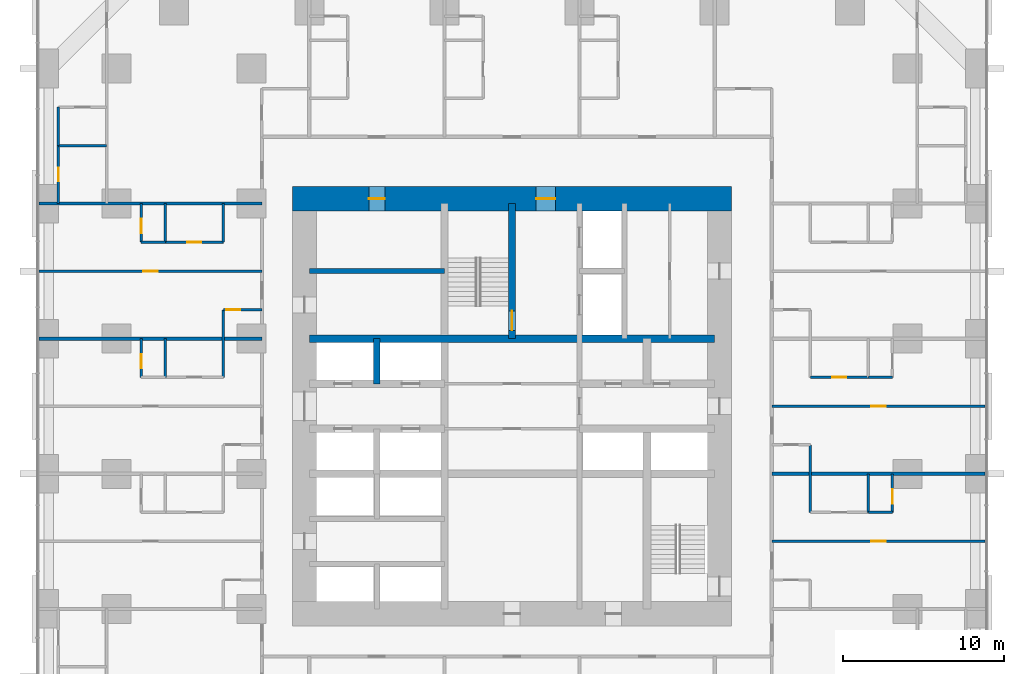
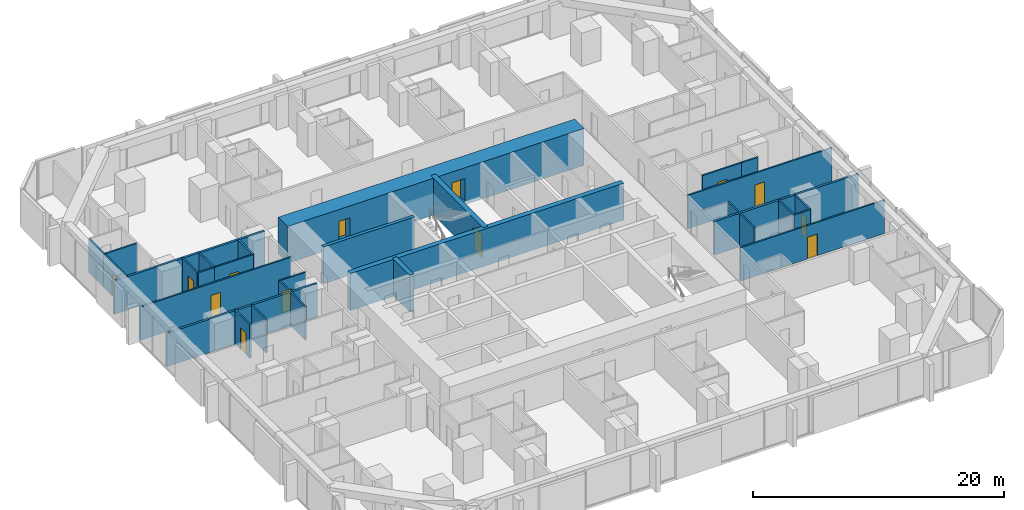
# One storey, part 14 of 17: 29 walls, 13 doors, 13 openings.
"""IFC4 building model written with IfcOpenShell, lengths in metres."""

from ifc_helpers import new_model, si_unit, direction, frame, frame_2d, origin, place, context, subcontext, project, spatial, rectangle, extrude, material, layer, layer_set, type_object, element, fill, save


model = new_model("IFC4")

# Units and contexts
model_context = context("Model", 3, precision=1e-05, world=origin(), true_north=direction((0.0, 1.0)))
body_context = subcontext(model_context, "Body", "Model", "MODEL_VIEW")
ifc_project = project(units=[si_unit("LENGTHUNIT", "METRE"), si_unit("AREAUNIT", "SQUARE_METRE"), si_unit("VOLUMEUNIT", "CUBIC_METRE"), si_unit("PLANEANGLEUNIT", "RADIAN"), si_unit("MASSUNIT", "GRAM", prefix="KILO")], contexts=[model_context])

# Site, building, storey
site_placement = place(None, origin())
site = spatial("IfcSite", under=ifc_project, at=site_placement, CompositionType="ELEMENT")
building_placement = place(site_placement, origin())
building = spatial("IfcBuilding", under=site, at=building_placement, Name="Dunama Terrace Hotel", CompositionType="ELEMENT")
storey_placement = place(building_placement, frame((0.0, 0.0, 59.39990234375)))
storey = spatial("IfcBuildingStorey", under=building, at=storey_placement, Name="L14", CompositionType="ELEMENT", Elevation=59.39990234375)

# Wall, opening, door
ifc_material_1 = material(Name="Gypsum board partition", Category="masonry")
ifc_layer_1 = layer(ifc_material_1, 0.14990234375)
ifc_layer_set_1 = layer_set([ifc_layer_1], Name="Bathroom partition 150")
wall_type_1 = type_object("IfcWallType", Name="Bathroom partition 150", PredefinedType="PARTITIONING", material=ifc_layer_set_1)
wall_1_placement = place(storey_placement, frame((1.199951171875, 42.0, 0.0), z_axis=(0.0, 0.0, 1.0), x_axis=(0.0, 1.0, 0.0)))
wall_1 = element("IfcWall", 1, at=wall_1_placement, inside=storey, type_object=wall_type_1, Name="Bathroom partition 150 L14", PredefinedType="PARTITIONING", context=body_context, shape_type="SweptSolid", body=[
    extrude(rectangle(XDim=3.60009765625, YDim=0.14990234375, at=frame_2d((1.800048828125, 0.0))), origin(), (0.0, 0.0, 1.0), 3.25),
])
opening_1_placement = place(wall_1_placement, frame((1.375, 0.0, 0.0)))
opening_1 = element("IfcOpeningElement", 2, at=opening_1_placement, cuts=wall_1, Name="Opening L13-14-075", PredefinedType="OPENING", context=body_context, shape_type="SweptSolid", body=[
    extrude(rectangle(XDim=0.85009765625, YDim=2.10009765625, at=frame_2d((0.425048828125, 1.050048828125))), frame((0.0, 0.0849609375, 0.0), z_axis=(0.0, -1.0, 0.0), x_axis=(1.0, 0.0, 0.0)), (0.0, 0.0, 1.0), 0.169921875),
])
ifc_material_2 = material(Name="Timber door with steel frame", Category="steel")
door_type_1 = type_object("IfcDoorType", Name="Bathroom door 850", OperationType="SINGLE_SWING_LEFT", PredefinedType="DOOR", material=ifc_material_2)
door_1_placement = place(opening_1_placement, frame((0.85009765625, 0.0, 0.0), z_axis=(0.0, 0.0, 1.0), x_axis=(-1.0, 0.0, 0.0)))
door_1 = element("IfcDoor", 3, at=door_1_placement, inside=storey, type_object=door_type_1, Name="Door to en-suite bathroom L13-14-075, type D2", OperationType="SINGLE_SWING_RIGHT", OverallHeight=2.10009765625, OverallWidth=0.85009765625, PredefinedType="DOOR", context=body_context, shape_type="SweptSolid", body=[
    extrude(rectangle(XDim=0.85009765625, YDim=2.10009765625, at=frame_2d((0.425048828125, 1.050048828125))), frame((0.0, 0.025146484375, 0.0), z_axis=(0.0, -1.0, 0.0), x_axis=(1.0, 0.0, 0.0)), (0.0, 0.0, 1.0), 0.050048828125),
])
fill(opening_1, door_1)

# Walls
wall_2_placement = place(storey_placement, frame((11.449951171875, 31.199951171875, 0.0), z_axis=(0.0, 0.0, 1.0), x_axis=(0.0, 1.0, 0.0)))
element("IfcWall", 4, at=wall_2_placement, inside=storey, type_object=wall_type_1, Name="Bathroom partition 150 L14", PredefinedType="PARTITIONING", context=body_context, shape_type="SweptSolid", body=[
    extrude(rectangle(XDim=4.199951171875, YDim=0.14990234375, at=frame_2d((2.10009765625, 0.0))), origin(), (0.0, 0.0, 1.0), 3.25),
])
wall_3_placement = place(storey_placement, frame((11.449951171875, 39.60009765625, 0.0), z_axis=(0.0, 0.0, 1.0), x_axis=(0.0, 1.0, 0.0)))
element("IfcWall", 5, at=wall_3_placement, inside=storey, type_object=wall_type_1, Name="Bathroom partition 150 L14", PredefinedType="PARTITIONING", context=body_context, shape_type="SweptSolid", body=[
    extrude(rectangle(XDim=2.39990234375, YDim=0.14990234375, at=frame_2d((1.199951171875, 0.0))), origin(), (0.0, 0.0, 1.0), 3.25),
])
wall_4_placement = place(storey_placement, frame((47.949951171875, 22.800048828125, 0.0), z_axis=(0.0, 0.0, 1.0), x_axis=(0.0, 1.0, 0.0)))
element("IfcWall", 6, at=wall_4_placement, inside=storey, type_object=wall_type_1, Name="Bathroom partition 150 L14", PredefinedType="PARTITIONING", context=body_context, shape_type="SweptSolid", body=[
    extrude(rectangle(XDim=4.199951171875, YDim=0.14990234375, at=frame_2d((2.10009765625, 0.0))), origin(), (0.0, 0.0, 1.0), 3.25),
])

# Wall, opening, door
wall_5_placement = place(storey_placement, frame((47.949951171875, 31.199951171875, 0.0), z_axis=(0.0, 0.0, 1.0), x_axis=(1.0, 0.0, 0.0)))
wall_5 = element("IfcWall", 7, at=wall_5_placement, inside=storey, type_object=wall_type_1, Name="Bathroom partition 150 L14", PredefinedType="PARTITIONING", context=body_context, shape_type="SweptSolid", body=[
    extrude(rectangle(XDim=3.60009765625, YDim=0.14990234375, at=frame_2d((1.800048828125, 0.0))), origin(), (0.0, 0.0, 1.0), 3.25),
])
opening_2_placement = place(wall_5_placement, frame((1.375, 0.0, 0.0)))
opening_2 = element("IfcOpeningElement", 8, at=opening_2_placement, cuts=wall_5, Name="Opening L13-14-026", PredefinedType="OPENING", context=body_context, shape_type="SweptSolid", body=[
    extrude(rectangle(XDim=0.85009765625, YDim=2.10009765625, at=frame_2d((0.425048828125, 1.050048828125))), frame((0.0, 0.0849609375, 0.0), z_axis=(0.0, -1.0, 0.0), x_axis=(1.0, 0.0, 0.0)), (0.0, 0.0, 1.0), 0.169921875),
])
door_2_placement = place(opening_2_placement, origin())
door_2 = element("IfcDoor", 9, at=door_2_placement, inside=storey, type_object=door_type_1, Name="Door to en-suite bathroom L13-14-026, type D2", OperationType="SINGLE_SWING_RIGHT", OverallHeight=2.10009765625, OverallWidth=0.85009765625, PredefinedType="DOOR", context=body_context, shape_type="SweptSolid", body=[
    extrude(rectangle(XDim=0.85009765625, YDim=2.10009765625, at=frame_2d((0.425048828125, 1.050048828125))), frame((0.0, 0.02490234375, 0.0), z_axis=(0.0, -1.0, 0.0), x_axis=(1.0, 0.0, 0.0)), (0.0, 0.0, 1.0), 0.050048828125),
])
fill(opening_2, door_2)

wall_6_placement = place(storey_placement, frame((11.449951171875, 35.39990234375, 0.0), z_axis=(0.0, 0.0, 1.0), x_axis=(1.0, 0.0, 0.0)))
wall_6 = element("IfcWall", 10, at=wall_6_placement, inside=storey, type_object=wall_type_1, Name="Bathroom partition 150 L14", PredefinedType="PARTITIONING", context=body_context, shape_type="SweptSolid", body=[
    extrude(rectangle(XDim=2.400146484375, YDim=0.14990234375, at=frame_2d((1.2001953125, 0.0))), origin(), (0.0, 0.0, 1.0), 3.25),
])
opening_3_placement = place(wall_6_placement, frame((0.199951171875, 0.0, 0.0)))
opening_3 = element("IfcOpeningElement", 11, at=opening_3_placement, cuts=wall_6, Name="Opening L13-14-053", PredefinedType="OPENING", context=body_context, shape_type="SweptSolid", body=[
    extrude(rectangle(XDim=0.85009765625, YDim=2.10009765625, at=frame_2d((0.425048828125, 1.050048828125))), frame((0.0, 0.0849609375, 0.0), z_axis=(0.0, -1.0, 0.0), x_axis=(1.0, 0.0, 0.0)), (0.0, 0.0, 1.0), 0.169921875),
])
door_3_placement = place(opening_3_placement, frame((0.85009765625, 0.0, 0.0), z_axis=(0.0, 0.0, 1.0), x_axis=(-1.0, 0.0, 0.0)))
door_3 = element("IfcDoor", 12, at=door_3_placement, inside=storey, type_object=door_type_1, Name="Door to powder room L13-14-053, type D2", OperationType="SINGLE_SWING_LEFT", OverallHeight=2.10009765625, OverallWidth=0.85009765625, PredefinedType="DOOR", context=body_context, shape_type="SweptSolid", body=[
    extrude(rectangle(XDim=0.85009765625, YDim=2.10009765625, at=frame_2d((0.425048828125, 1.050048828125))), frame((0.0, 0.025146484375, 0.0), z_axis=(0.0, -1.0, 0.0), x_axis=(1.0, 0.0, 0.0)), (0.0, 0.0, 1.0), 0.050048828125),
])
fill(opening_3, door_3)

wall_7_placement = place(storey_placement, frame((7.85009765625, 39.60009765625, 0.0), z_axis=(0.0, 0.0, 1.0), x_axis=(1.0, 0.0, 0.0)))
wall_7 = element("IfcWall", 13, at=wall_7_placement, inside=storey, type_object=wall_type_1, Name="Bathroom partition 150 L14", PredefinedType="PARTITIONING", context=body_context, shape_type="SweptSolid", body=[
    extrude(rectangle(XDim=3.599853515625, YDim=0.14990234375, at=frame_2d((1.7998046875, 0.0))), origin(), (0.0, 0.0, 1.0), 3.25),
])
opening_4_placement = place(wall_7_placement, frame((1.375, 0.0, 0.0)))
opening_4 = element("IfcOpeningElement", 14, at=opening_4_placement, cuts=wall_7, Name="Opening L13-14-055", PredefinedType="OPENING", context=body_context, shape_type="SweptSolid", body=[
    extrude(rectangle(XDim=0.85009765625, YDim=2.10009765625, at=frame_2d((0.425048828125, 1.050048828125))), frame((0.0, 0.0849609375, 0.0), z_axis=(0.0, -1.0, 0.0), x_axis=(1.0, 0.0, 0.0)), (0.0, 0.0, 1.0), 0.169921875),
])
door_4_placement = place(opening_4_placement, origin())
door_4 = element("IfcDoor", 15, at=door_4_placement, inside=storey, type_object=door_type_1, Name="Door to en-suite bathroom L13-14-055, type D2", OperationType="SINGLE_SWING_LEFT", OverallHeight=2.10009765625, OverallWidth=0.85009765625, PredefinedType="DOOR", context=body_context, shape_type="SweptSolid", body=[
    extrude(rectangle(XDim=0.85009765625, YDim=2.10009765625, at=frame_2d((0.425048828125, 1.050048828125))), frame((0.0, 0.02490234375, 0.0), z_axis=(0.0, -1.0, 0.0), x_axis=(1.0, 0.0, 0.0)), (0.0, 0.0, 1.0), 0.050048828125),
])
fill(opening_4, door_4)

# Walls
ifc_material_3 = material(Name="Concrete C50/60", Category="concrete")
ifc_layer_2 = layer(ifc_material_3, 0.300048828125)
ifc_layer_set_2 = layer_set([ifc_layer_2], Name="Core inner wall 300")
wall_type_2 = type_object("IfcWallType", Name="Core inner wall 300", PredefinedType="SHEAR", material=ifc_layer_set_2)
wall_8_placement = place(storey_placement, frame((16.800048828125, 37.800048828125, -0.349853515625), z_axis=(0.0, 0.0, 1.0), x_axis=(1.0, 0.0, 0.0)))
element("IfcWall", 16, at=wall_8_placement, inside=storey, type_object=wall_type_2, Name="Core inner wall 300 L14", PredefinedType="SHEAR", context=body_context, shape_type="SweptSolid", body=[
    extrude(rectangle(XDim=8.39990234375, YDim=0.300048828125, at=frame_2d((4.199951171875, 0.0))), origin(), (0.0, 0.0, 1.0), 3.599853515625),
])
ifc_material_4 = material(Name="Concrete C50/60", Category="concrete")
ifc_layer_3 = layer(ifc_material_4, 0.39990234375)
ifc_layer_set_3 = layer_set([ifc_layer_3], Name="Core inner wall 400")
wall_type_3 = type_object("IfcWallType", Name="Core inner wall 400", PredefinedType="SHEAR", material=ifc_layer_set_3)
wall_9_placement = place(storey_placement, frame((21.0, 30.800048828125, -0.349853515625), z_axis=(0.0, 0.0, 1.0), x_axis=(0.0, 1.0, 0.0)))
element("IfcWall", 17, at=wall_9_placement, inside=storey, type_object=wall_type_3, Name="Core inner wall 400 L14", PredefinedType="SHEAR", context=body_context, shape_type="SweptSolid", body=[
    extrude(rectangle(XDim=2.800048828125, YDim=0.39990234375, at=frame_2d((1.39990234375, 0.0))), origin(), (0.0, 0.0, 1.0), 3.599853515625),
])

# Wall, opening, door
ifc_material_5 = material(Name="Concrete C50/60", Category="concrete")
ifc_layer_4 = layer(ifc_material_5, 0.449951171875)
ifc_layer_set_4 = layer_set([ifc_layer_4], Name="Core inner wall 450")
wall_type_4 = type_object("IfcWallType", Name="Core inner wall 450", PredefinedType="SHEAR", material=ifc_layer_set_4)
wall_10_placement = place(storey_placement, frame((29.39990234375, 33.60009765625, -0.349853515625), z_axis=(0.0, 0.0, 1.0), x_axis=(0.0, 1.0, 0.0)))
wall_10 = element("IfcWall", 18, at=wall_10_placement, inside=storey, type_object=wall_type_4, Name="Core inner wall 450 L14", PredefinedType="SHEAR", context=body_context, shape_type="SweptSolid", body=[
    extrude(rectangle(XDim=8.39990234375, YDim=0.449951171875, at=frame_2d((4.199951171875, 0.0))), origin(), (0.0, 0.0, 1.0), 3.599853515625),
])
opening_5_placement = place(wall_10_placement, frame((0.52490234375, 0.0, 0.35009765625)))
opening_5 = element("IfcOpeningElement", 19, at=opening_5_placement, cuts=wall_10, Name="Opening L13-14-001", PredefinedType="OPENING", context=body_context, shape_type="SweptSolid", body=[
    extrude(rectangle(XDim=1.199951171875, YDim=2.199951171875, at=frame_2d((0.60009765625, 1.10009765625))), frame((0.0, 0.23486328125, 0.0), z_axis=(0.0, -1.0, 0.0), x_axis=(1.0, 0.0, 0.0)), (0.0, 0.0, 1.0), 0.469970703125),
])
ifc_material_6 = material(Name="Timber door with steel frame", Category="steel")
door_type_2 = type_object("IfcDoorType", Name="Stair door 1200", OperationType="SINGLE_SWING_LEFT", PredefinedType="DOOR", material=ifc_material_6)
door_5_placement = place(opening_5_placement, origin())
door_5 = element("IfcDoor", 20, at=door_5_placement, inside=storey, type_object=door_type_2, Name="Stair door ST1 L13-14-001, type D5", OperationType="SINGLE_SWING_LEFT", OverallHeight=2.199951171875, OverallWidth=1.199951171875, PredefinedType="DOOR", context=body_context, shape_type="SweptSolid", body=[
    extrude(rectangle(XDim=1.199951171875, YDim=2.199951171875, at=frame_2d((0.60009765625, 1.10009765625))), frame((0.0, 0.02490234375, 0.0), z_axis=(0.0, -1.0, 0.0), x_axis=(1.0, 0.0, 0.0)), (0.0, 0.0, 1.0), 0.050048828125),
])
fill(opening_5, door_5)

# Wall
wall_11_placement = place(storey_placement, frame((16.800048828125, 33.60009765625, -0.349853515625), z_axis=(0.0, 0.0, 1.0), x_axis=(1.0, 0.0, 0.0)))
element("IfcWall", 21, at=wall_11_placement, inside=storey, type_object=wall_type_4, Name="Core inner wall 450 L14", PredefinedType="SHEAR", context=body_context, shape_type="SweptSolid", body=[
    extrude(rectangle(XDim=25.199951171875, YDim=0.449951171875, at=frame_2d((12.60009765625, 0.0))), origin(), (0.0, 0.0, 1.0), 3.599853515625),
])

# Wall, openings, doors
ifc_material_7 = material(Name="Concrete C60/75", Category="concrete")
ifc_layer_5 = layer(ifc_material_7, 1.5)
ifc_layer_set_5 = layer_set([ifc_layer_5], Name="Core wall 1500")
wall_type_5 = type_object("IfcWallType", Name="Core wall 1500", PredefinedType="SHEAR", material=ifc_layer_set_5)
wall_12_placement = place(storey_placement, frame((43.050048828125, 42.300048828125, -0.349853515625), z_axis=(0.0, 0.0, 1.0), x_axis=(-1.0, 0.0, 0.0)))
wall_12 = element("IfcWall", 22, at=wall_12_placement, inside=storey, type_object=wall_type_5, Name="Core wall north L14", PredefinedType="SHEAR", context=body_context, shape_type="SweptSolid", body=[
    extrude(rectangle(XDim=27.300048828125, YDim=1.5, at=frame_2d((13.64990234375, 0.0))), origin(), (0.0, 0.0, 1.0), 3.599853515625),
])
opening_6_placement = place(wall_12_placement, frame((21.550048828125, 0.0, 0.35009765625)))
opening_6 = element("IfcOpeningElement", 23, at=opening_6_placement, cuts=wall_12, Name="Opening L13-14-080", PredefinedType="OPENING", context=body_context, shape_type="SweptSolid", body=[
    extrude(rectangle(XDim=1.0, YDim=2.10009765625, at=frame_2d((0.5, 1.050048828125))), frame((0.0, 0.760009765625, 0.0), z_axis=(0.0, -1.0, 0.0), x_axis=(1.0, 0.0, 0.0)), (0.0, 0.0, 1.0), 1.52001953125),
])
opening_7_placement = place(wall_12_placement, frame((10.949951171875, 0.0, 0.35009765625)))
opening_7 = element("IfcOpeningElement", 24, at=opening_7_placement, cuts=wall_12, Name="Opening L13-14-087", PredefinedType="OPENING", context=body_context, shape_type="SweptSolid", body=[
    extrude(rectangle(XDim=1.199951171875, YDim=2.199951171875, at=frame_2d((0.60009765625, 1.10009765625))), frame((0.0, 0.760009765625, 0.0), z_axis=(0.0, -1.0, 0.0), x_axis=(1.0, 0.0, 0.0)), (0.0, 0.0, 1.0), 1.52001953125),
])
ifc_material_8 = material(Name="Timber door with steel frame", Category="steel")
door_type_3 = type_object("IfcDoorType", Name="Firefighting lobby door 1200", OperationType="SINGLE_SWING_LEFT", PredefinedType="DOOR", material=ifc_material_8)
door_6_placement = place(opening_7_placement, origin())
door_6 = element("IfcDoor", 25, at=door_6_placement, inside=storey, type_object=door_type_3, Name="Door to firefighting lobby L13-14-087, type D4", OperationType="SINGLE_SWING_RIGHT", OverallHeight=2.199951171875, OverallWidth=1.199951171875, PredefinedType="DOOR", context=body_context, shape_type="SweptSolid", body=[
    extrude(rectangle(XDim=1.199951171875, YDim=2.199951171875, at=frame_2d((0.60009765625, 1.10009765625))), frame((0.0, 0.02490234375, 0.0), z_axis=(0.0, -1.0, 0.0), x_axis=(1.0, 0.0, 0.0)), (0.0, 0.0, 1.0), 0.050048828125),
])
fill(opening_7, door_6)
ifc_material_9 = material(Name="Timber door with steel frame", Category="steel")
door_type_4 = type_object("IfcDoorType", Name="Service door 1000", OperationType="SINGLE_SWING_LEFT", PredefinedType="DOOR", material=ifc_material_9)
door_7_placement = place(opening_6_placement, origin())
door_7 = element("IfcDoor", 26, at=door_7_placement, inside=storey, type_object=door_type_4, Name="Door to communications and riser room L13-14-080, type D7", OperationType="SINGLE_SWING_RIGHT", OverallHeight=2.10009765625, OverallWidth=1.0, PredefinedType="DOOR", context=body_context, shape_type="SweptSolid", body=[
    extrude(rectangle(XDim=1.0, YDim=2.10009765625, at=frame_2d((0.5, 1.050048828125))), frame((0.0, 0.02490234375, 0.0), z_axis=(0.0, -1.0, 0.0), x_axis=(1.0, 0.0, 0.0)), (0.0, 0.0, 1.0), 0.050048828125),
])
fill(opening_6, door_7)

# Walls
ifc_material_10 = material(Name="Concrete blockwork", Category="masonry")
ifc_layer_6 = layer(ifc_material_10, 0.199951171875)
ifc_layer_set_6 = layer_set([ifc_layer_6], Name="Party wall 200")
wall_type_6 = type_object("IfcWallType", Name="Party wall 200", PredefinedType="PARTITIONING", material=ifc_layer_set_6)
wall_13_placement = place(storey_placement, frame((45.550048828125, 25.199951171875, 0.0), z_axis=(0.0, 0.0, 1.0), x_axis=(1.0, 0.0, 0.0)))
element("IfcWall", 27, at=wall_13_placement, inside=storey, type_object=wall_type_6, Name="Party wall 200 L14", PredefinedType="PARTITIONING", context=body_context, shape_type="SweptSolid", body=[
    extrude(rectangle(XDim=13.258056640625, YDim=0.199951171875, at=frame_2d((6.62890625, 0.0))), origin(), (0.0, 0.0, 1.0), 3.25),
])
for number, where, z_axis, x_axis, name in (
    (28, (-0.008056640625, 33.60009765625, 0.0), (0.0, 0.0, 1.0), (1.0, 0.0, 0.0), "Party wall 200 L14"),
    (29, (-0.008056640625, 42.0, 0.0), (0.0, 0.0, 1.0), (1.0, 0.0, 0.0), "Party wall 200 L14"),
):
    element("IfcWall", number, at=place(storey_placement, frame(where, z_axis=z_axis, x_axis=x_axis)), inside=storey, type_object=wall_type_6, Name=name, PredefinedType="PARTITIONING", context=body_context, shape_type="SweptSolid", body=[
        extrude(rectangle(XDim=13.858154296875, YDim=0.199951171875, at=frame_2d((6.92919921875, 0.0))), origin(), (0.0, 0.0, 1.0), 3.25),
    ])
ifc_material_11 = material(Name="Gypsum board partition", Category="masonry")
ifc_layer_7 = layer(ifc_material_11, 0.14990234375)
ifc_layer_set_7 = layer_set([ifc_layer_7], Name="Room partition 150")
wall_type_7 = type_object("IfcWallType", Name="Room partition 150", PredefinedType="PARTITIONING", material=ifc_layer_set_7)
wall_14_placement = place(storey_placement, frame((1.199951171875, 45.60009765625, 0.0), z_axis=(0.0, 0.0, 1.0), x_axis=(0.0, 1.0, 0.0)))
element("IfcWall", 30, at=wall_14_placement, inside=storey, type_object=wall_type_7, Name="Room partition 150 L14", PredefinedType="PARTITIONING", context=body_context, shape_type="SweptSolid", body=[
    extrude(rectangle(XDim=2.39990234375, YDim=0.14990234375, at=frame_2d((1.199951171875, 0.0))), origin(), (0.0, 0.0, 1.0), 3.25),
])

# Wall, opening, door
wall_15_placement = place(storey_placement, frame((6.35009765625, 31.199951171875, 0.0), z_axis=(0.0, 0.0, 1.0), x_axis=(0.0, 1.0, 0.0)))
wall_15 = element("IfcWall", 31, at=wall_15_placement, inside=storey, type_object=wall_type_7, Name="Room partition 150 L14", PredefinedType="PARTITIONING", context=body_context, shape_type="SweptSolid", body=[
    extrude(rectangle(XDim=2.400146484375, YDim=0.14990234375, at=frame_2d((1.2001953125, 0.0))), origin(), (0.0, 0.0, 1.0), 3.25),
])
opening_8_placement = place(wall_15_placement, frame((0.550048828125, 0.0, 0.0)))
opening_8 = element("IfcOpeningElement", 32, at=opening_8_placement, cuts=wall_15, Name="Opening L13-14-051", PredefinedType="OPENING", context=body_context, shape_type="SweptSolid", body=[
    extrude(rectangle(XDim=0.89990234375, YDim=2.10009765625, at=frame_2d((0.449951171875, 1.050048828125))), frame((0.0, 0.0849609375, 0.0), z_axis=(0.0, -1.0, 0.0), x_axis=(1.0, 0.0, 0.0)), (0.0, 0.0, 1.0), 0.169921875),
])
ifc_material_12 = material(Name="Timber door with steel frame", Category="steel")
door_type_5 = type_object("IfcDoorType", Name="Suite internal door 900", OperationType="SINGLE_SWING_LEFT", PredefinedType="DOOR", material=ifc_material_12)
door_8_placement = place(opening_8_placement, frame((0.89990234375, 0.0, 0.0), z_axis=(0.0, 0.0, 1.0), x_axis=(-1.0, 0.0, 0.0)))
door_8 = element("IfcDoor", 33, at=door_8_placement, inside=storey, type_object=door_type_5, Name="Door to walk-in wardrobe L13-14-051, type D16", OperationType="SINGLE_SWING_RIGHT", OverallHeight=2.10009765625, OverallWidth=0.89990234375, PredefinedType="DOOR", context=body_context, shape_type="SweptSolid", body=[
    extrude(rectangle(XDim=0.89990234375, YDim=2.10009765625, at=frame_2d((0.449951171875, 1.050048828125))), frame((0.0, 0.025146484375, 0.0), z_axis=(0.0, -1.0, 0.0), x_axis=(1.0, 0.0, 0.0)), (0.0, 0.0, 1.0), 0.050048828125),
])
fill(opening_8, door_8)

wall_16_placement = place(storey_placement, frame((6.35009765625, 39.60009765625, 0.0), z_axis=(0.0, 0.0, 1.0), x_axis=(0.0, 1.0, 0.0)))
wall_16 = element("IfcWall", 34, at=wall_16_placement, inside=storey, type_object=wall_type_7, Name="Room partition 150 L14", PredefinedType="PARTITIONING", context=body_context, shape_type="SweptSolid", body=[
    extrude(rectangle(XDim=2.39990234375, YDim=0.14990234375, at=frame_2d((1.199951171875, 0.0))), origin(), (0.0, 0.0, 1.0), 3.25),
])
opening_9_placement = place(wall_16_placement, frame((0.550048828125, 0.0, 0.0)))
opening_9 = element("IfcOpeningElement", 35, at=opening_9_placement, cuts=wall_16, Name="Opening L13-14-056", PredefinedType="OPENING", context=body_context, shape_type="SweptSolid", body=[
    extrude(rectangle(XDim=0.89990234375, YDim=2.10009765625, at=frame_2d((0.449951171875, 1.050048828125))), frame((0.0, 0.0849609375, 0.0), z_axis=(0.0, -1.0, 0.0), x_axis=(1.0, 0.0, 0.0)), (0.0, 0.0, 1.0), 0.169921875),
])
door_9_placement = place(opening_9_placement, frame((0.89990234375, 0.0, 0.0), z_axis=(0.0, 0.0, 1.0), x_axis=(-1.0, 0.0, 0.0)))
door_9 = element("IfcDoor", 36, at=door_9_placement, inside=storey, type_object=door_type_5, Name="Door to walk-in wardrobe L13-14-056, type D16", OperationType="SINGLE_SWING_RIGHT", OverallHeight=2.10009765625, OverallWidth=0.89990234375, PredefinedType="DOOR", context=body_context, shape_type="SweptSolid", body=[
    extrude(rectangle(XDim=0.89990234375, YDim=2.10009765625, at=frame_2d((0.449951171875, 1.050048828125))), frame((0.0, 0.025146484375, 0.0), z_axis=(0.0, -1.0, 0.0), x_axis=(1.0, 0.0, 0.0)), (0.0, 0.0, 1.0), 0.050048828125),
])
fill(opening_9, door_9)

# Walls
wall_17_placement = place(storey_placement, frame((7.85009765625, 31.199951171875, 0.0), z_axis=(0.0, 0.0, 1.0), x_axis=(0.0, 1.0, 0.0)))
element("IfcWall", 37, at=wall_17_placement, inside=storey, type_object=wall_type_7, Name="Room partition 150 L14", PredefinedType="PARTITIONING", context=body_context, shape_type="SweptSolid", body=[
    extrude(rectangle(XDim=2.400146484375, YDim=0.14990234375, at=frame_2d((1.2001953125, 0.0))), origin(), (0.0, 0.0, 1.0), 3.25),
])
for number, where, z_axis, x_axis, name in (
    (38, (7.85009765625, 39.60009765625, 0.0), (0.0, 0.0, 1.0), (0.0, 1.0, 0.0), "Room partition 150 L14"),
    (39, (51.550048828125, 22.800048828125, 0.0), (0.0, 0.0, 1.0), (0.0, 1.0, 0.0), "Room partition 150 L14"),
):
    element("IfcWall", number, at=place(storey_placement, frame(where, z_axis=z_axis, x_axis=x_axis)), inside=storey, type_object=wall_type_7, Name=name, PredefinedType="PARTITIONING", context=body_context, shape_type="SweptSolid", body=[
        extrude(rectangle(XDim=2.39990234375, YDim=0.14990234375, at=frame_2d((1.199951171875, 0.0))), origin(), (0.0, 0.0, 1.0), 3.25),
    ])

# Wall, opening, door
wall_18_placement = place(storey_placement, frame((53.050048828125, 22.800048828125, 0.0), z_axis=(0.0, 0.0, 1.0), x_axis=(0.0, 1.0, 0.0)))
wall_18 = element("IfcWall", 40, at=wall_18_placement, inside=storey, type_object=wall_type_7, Name="Room partition 150 L14", PredefinedType="PARTITIONING", context=body_context, shape_type="SweptSolid", body=[
    extrude(rectangle(XDim=2.39990234375, YDim=0.14990234375, at=frame_2d((1.199951171875, 0.0))), origin(), (0.0, 0.0, 1.0), 3.25),
])
opening_10_placement = place(wall_18_placement, frame((0.550048828125, 0.0, 0.0)))
opening_10 = element("IfcOpeningElement", 41, at=opening_10_placement, cuts=wall_18, Name="Opening L13-14-022", PredefinedType="OPENING", context=body_context, shape_type="SweptSolid", body=[
    extrude(rectangle(XDim=0.89990234375, YDim=2.10009765625, at=frame_2d((0.449951171875, 1.050048828125))), frame((0.0, 0.0849609375, 0.0), z_axis=(0.0, -1.0, 0.0), x_axis=(1.0, 0.0, 0.0)), (0.0, 0.0, 1.0), 0.169921875),
])
door_10_placement = place(opening_10_placement, origin())
door_10 = element("IfcDoor", 42, at=door_10_placement, inside=storey, type_object=door_type_5, Name="Door to walk-in wardrobe L13-14-022, type D16", OperationType="SINGLE_SWING_RIGHT", OverallHeight=2.10009765625, OverallWidth=0.89990234375, PredefinedType="DOOR", context=body_context, shape_type="SweptSolid", body=[
    extrude(rectangle(XDim=0.89990234375, YDim=2.10009765625, at=frame_2d((0.449951171875, 1.050048828125))), frame((0.0, 0.02490234375, 0.0), z_axis=(0.0, -1.0, 0.0), x_axis=(1.0, 0.0, 0.0)), (0.0, 0.0, 1.0), 0.050048828125),
])
fill(opening_10, door_10)

wall_19_placement = place(storey_placement, frame((45.550048828125, 21.0, 0.0), z_axis=(0.0, 0.0, 1.0), x_axis=(1.0, 0.0, 0.0)))
wall_19 = element("IfcWall", 43, at=wall_19_placement, inside=storey, type_object=wall_type_7, Name="Room partition 150 L14", PredefinedType="PARTITIONING", context=body_context, shape_type="SweptSolid", body=[
    extrude(rectangle(XDim=13.258056640625, YDim=0.14990234375, at=frame_2d((6.62890625, 0.0))), origin(), (0.0, 0.0, 1.0), 3.25),
])
opening_11_placement = place(wall_19_placement, frame((6.175048828125, 0.0, 0.0)))
opening_11 = element("IfcOpeningElement", 44, at=opening_11_placement, cuts=wall_19, Name="Opening L13-14-020", PredefinedType="OPENING", context=body_context, shape_type="SweptSolid", body=[
    extrude(rectangle(XDim=0.89990234375, YDim=2.10009765625, at=frame_2d((0.449951171875, 1.050048828125))), frame((0.0, 0.0849609375, 0.0), z_axis=(0.0, -1.0, 0.0), x_axis=(1.0, 0.0, 0.0)), (0.0, 0.0, 1.0), 0.169921875),
])
door_11_placement = place(opening_11_placement, origin())
door_11 = element("IfcDoor", 45, at=door_11_placement, inside=storey, type_object=door_type_5, Name="Door to executive suite bedroom L13-14-020, type D16", OperationType="SINGLE_SWING_LEFT", OverallHeight=2.10009765625, OverallWidth=0.89990234375, PredefinedType="DOOR", context=body_context, shape_type="SweptSolid", body=[
    extrude(rectangle(XDim=0.89990234375, YDim=2.10009765625, at=frame_2d((0.449951171875, 1.050048828125))), frame((0.0, 0.02490234375, 0.0), z_axis=(0.0, -1.0, 0.0), x_axis=(1.0, 0.0, 0.0)), (0.0, 0.0, 1.0), 0.050048828125),
])
fill(opening_11, door_11)

# Wall
wall_20_placement = place(storey_placement, frame((51.550048828125, 22.800048828125, 0.0), z_axis=(0.0, 0.0, 1.0), x_axis=(1.0, 0.0, 0.0)))
element("IfcWall", 46, at=wall_20_placement, inside=storey, type_object=wall_type_7, Name="Room partition 150 L14", PredefinedType="PARTITIONING", context=body_context, shape_type="SweptSolid", body=[
    extrude(rectangle(XDim=1.5, YDim=0.14990234375, at=frame_2d((0.75, 0.0))), origin(), (0.0, 0.0, 1.0), 3.25),
])

# Wall, opening, door
wall_21_placement = place(storey_placement, frame((45.550048828125, 29.39990234375, 0.0), z_axis=(0.0, 0.0, 1.0), x_axis=(1.0, 0.0, 0.0)))
wall_21 = element("IfcWall", 47, at=wall_21_placement, inside=storey, type_object=wall_type_7, Name="Room partition 150 L14", PredefinedType="PARTITIONING", context=body_context, shape_type="SweptSolid", body=[
    extrude(rectangle(XDim=13.258056640625, YDim=0.14990234375, at=frame_2d((6.62890625, 0.0))), origin(), (0.0, 0.0, 1.0), 3.25),
])
opening_12_placement = place(wall_21_placement, frame((6.175048828125, 0.0, 0.0)))
opening_12 = element("IfcOpeningElement", 48, at=opening_12_placement, cuts=wall_21, Name="Opening L13-14-025", PredefinedType="OPENING", context=body_context, shape_type="SweptSolid", body=[
    extrude(rectangle(XDim=0.89990234375, YDim=2.10009765625, at=frame_2d((0.449951171875, 1.050048828125))), frame((0.0, 0.0849609375, 0.0), z_axis=(0.0, -1.0, 0.0), x_axis=(1.0, 0.0, 0.0)), (0.0, 0.0, 1.0), 0.169921875),
])
door_12_placement = place(opening_12_placement, origin())
door_12 = element("IfcDoor", 49, at=door_12_placement, inside=storey, type_object=door_type_5, Name="Door to executive suite bedroom L13-14-025, type D16", OperationType="SINGLE_SWING_LEFT", OverallHeight=2.10009765625, OverallWidth=0.89990234375, PredefinedType="DOOR", context=body_context, shape_type="SweptSolid", body=[
    extrude(rectangle(XDim=0.89990234375, YDim=2.10009765625, at=frame_2d((0.449951171875, 1.050048828125))), frame((0.0, 0.02490234375, 0.0), z_axis=(0.0, -1.0, 0.0), x_axis=(1.0, 0.0, 0.0)), (0.0, 0.0, 1.0), 0.050048828125),
])
fill(opening_12, door_12)

# Wall
wall_22_placement = place(storey_placement, frame((51.550048828125, 31.199951171875, 0.0), z_axis=(0.0, 0.0, 1.0), x_axis=(1.0, 0.0, 0.0)))
element("IfcWall", 50, at=wall_22_placement, inside=storey, type_object=wall_type_7, Name="Room partition 150 L14", PredefinedType="PARTITIONING", context=body_context, shape_type="SweptSolid", body=[
    extrude(rectangle(XDim=1.5, YDim=0.14990234375, at=frame_2d((0.75, 0.0))), origin(), (0.0, 0.0, 1.0), 3.25),
])

# Wall, opening, door
wall_23_placement = place(storey_placement, frame((-0.008056640625, 37.800048828125, 0.0), z_axis=(0.0, 0.0, 1.0), x_axis=(1.0, 0.0, 0.0)))
wall_23 = element("IfcWall", 51, at=wall_23_placement, inside=storey, type_object=wall_type_7, Name="Room partition 150 L14", PredefinedType="PARTITIONING", context=body_context, shape_type="SweptSolid", body=[
    extrude(rectangle(XDim=13.858154296875, YDim=0.14990234375, at=frame_2d((6.92919921875, 0.0))), origin(), (0.0, 0.0, 1.0), 3.25),
])
opening_13_placement = place(wall_23_placement, frame((6.48291015625, 0.0, 0.0)))
opening_13 = element("IfcOpeningElement", 52, at=opening_13_placement, cuts=wall_23, Name="Opening L13-14-054", PredefinedType="OPENING", context=body_context, shape_type="SweptSolid", body=[
    extrude(rectangle(XDim=0.89990234375, YDim=2.10009765625, at=frame_2d((0.449951171875, 1.050048828125))), frame((0.0, 0.0849609375, 0.0), z_axis=(0.0, -1.0, 0.0), x_axis=(1.0, 0.0, 0.0)), (0.0, 0.0, 1.0), 0.169921875),
])
door_13_placement = place(opening_13_placement, origin())
door_13 = element("IfcDoor", 53, at=door_13_placement, inside=storey, type_object=door_type_5, Name="Door to executive suite bedroom L13-14-054, type D16", OperationType="SINGLE_SWING_LEFT", OverallHeight=2.10009765625, OverallWidth=0.89990234375, PredefinedType="DOOR", context=body_context, shape_type="SweptSolid", body=[
    extrude(rectangle(XDim=0.89990234375, YDim=2.10009765625, at=frame_2d((0.449951171875, 1.050048828125))), frame((0.0, 0.02490234375, 0.0), z_axis=(0.0, -1.0, 0.0), x_axis=(1.0, 0.0, 0.0)), (0.0, 0.0, 1.0), 0.050048828125),
])
fill(opening_13, door_13)

# Walls
wall_24_placement = place(storey_placement, frame((6.35009765625, 39.60009765625, 0.0), z_axis=(0.0, 0.0, 1.0), x_axis=(1.0, 0.0, 0.0)))
element("IfcWall", 54, at=wall_24_placement, inside=storey, type_object=wall_type_7, Name="Room partition 150 L14", PredefinedType="PARTITIONING", context=body_context, shape_type="SweptSolid", body=[
    extrude(rectangle(XDim=1.5, YDim=0.14990234375, at=frame_2d((0.75, 0.0))), origin(), (0.0, 0.0, 1.0), 3.25),
])
wall_25_placement = place(storey_placement, frame((1.199951171875, 45.60009765625, 0.0), z_axis=(0.0, 0.0, 1.0), x_axis=(1.0, 0.0, 0.0)))
element("IfcWall", 55, at=wall_25_placement, inside=storey, type_object=wall_type_7, Name="Room partition 150 L14", PredefinedType="PARTITIONING", context=body_context, shape_type="SweptSolid", body=[
    extrude(rectangle(XDim=3.0, YDim=0.14990234375, at=frame_2d((1.5, 0.0))), origin(), (0.0, 0.0, 1.0), 3.25),
])

save(model, "model.ifc")
